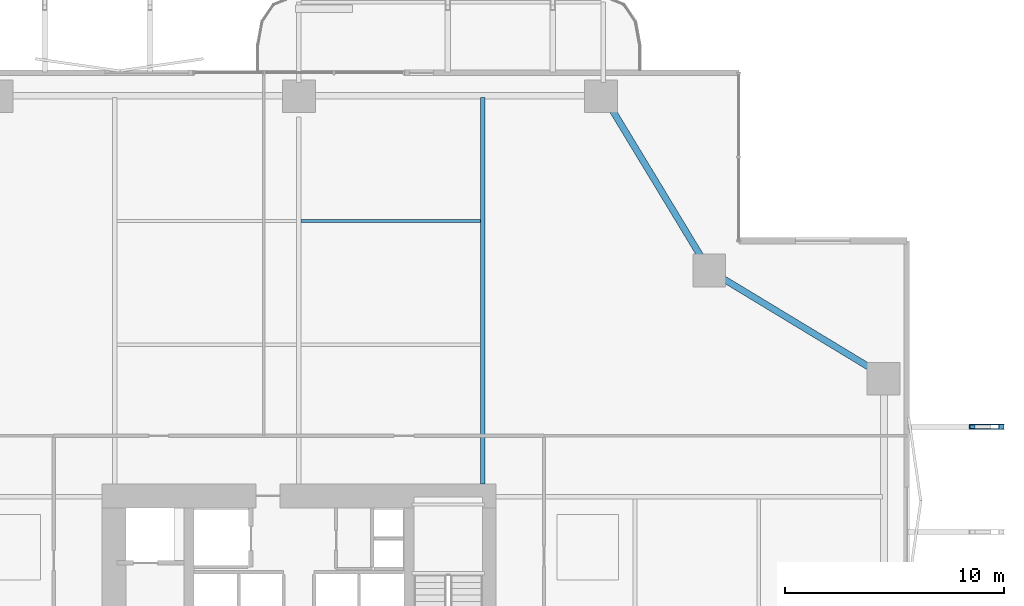
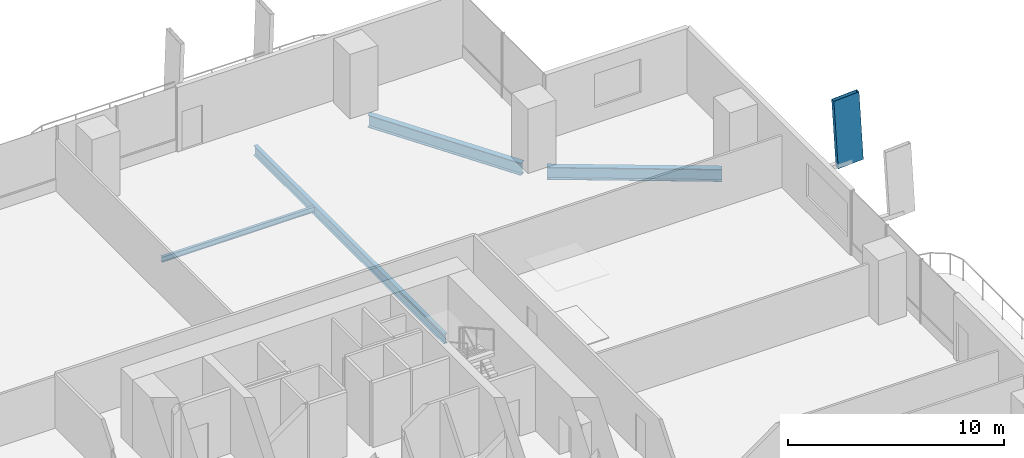
# One storey, part 20 of 30: 4 beams, 1 member.
"""IFC4 building model written with IfcOpenShell, lengths in metres."""

from ifc_helpers import new_model, si_unit, direction, frame, origin, origin_2d, place, context, subcontext, project, spatial, hollow_rectangle, i_section, extrude, material, material_profile, profile_set, type_object, element, save


model = new_model("IFC4")

# Units and contexts
model_context = context("Model", 3, precision=1e-05, world=origin(), true_north=direction((0.0, 1.0)))
body_context = subcontext(model_context, "Body", "Model", "MODEL_VIEW")
ifc_project = project(units=[si_unit("LENGTHUNIT", "METRE"), si_unit("AREAUNIT", "SQUARE_METRE"), si_unit("VOLUMEUNIT", "CUBIC_METRE"), si_unit("PLANEANGLEUNIT", "RADIAN"), si_unit("MASSUNIT", "GRAM", prefix="KILO")], contexts=[model_context])

# Site, building, storey
site_placement = place(None, origin())
site = spatial("IfcSite", under=ifc_project, at=site_placement, CompositionType="ELEMENT")
building_placement = place(site_placement, origin())
building = spatial("IfcBuilding", under=site, at=building_placement, Name="Belovzor Exchange Tower", CompositionType="ELEMENT")
storey_placement = place(building_placement, frame((0.0, 0.0, 30.0)))
storey = spatial("IfcBuildingStorey", under=building, at=storey_placement, Name="L06", CompositionType="ELEMENT", Elevation=30.0)

# Member
ifc_material_1 = material(Name="Extruded Architectural Terracotta on Steel S355 Carrier", Category="masonry")
ifc_material_profile_1 = material_profile(ifc_material_1, hollow_rectangle(XDim=0.219970703125, YDim=1.35009765625, WallThickness=0.013916015625, at=origin_2d()))
ifc_profile_set_1 = profile_set([ifc_material_profile_1], Name="Extruded Architectural Terracotta on Steel S355 Carrier")
member_type = type_object("IfcMemberType", Name="Base Arc Sweeping Terracotta Pylon Fin 1450", PredefinedType="USERDEFINED", material=ifc_profile_set_1)
member_placement = place(storey_placement, frame((60.3369140625, 40.39990234375, -0.25), z_axis=(-0.059615826389, 0.0, 0.998221394904), x_axis=(0.0, -1.0, 0.0)))
element("IfcMember", 1, at=member_placement, inside=storey, type_object=member_type, Name="FIN-TC145 Terracotta Facade Fin L06 E4", ObjectType="FIN", PredefinedType="USERDEFINED", context=body_context, shape_type="SweptSolid", body=[
    extrude(hollow_rectangle(XDim=0.219970703125, YDim=1.35009765625, WallThickness=0.013916015625, at=origin_2d()), origin(), (0.0, 0.0, 1.0), 3.90673828125),
])

# Beams
ifc_material_2 = material(Name="Steel S355", Category="steel")
ifc_material_profile_2 = material_profile(ifc_material_2, i_section(OverallWidth=0.14990234375, OverallDepth=0.300048828125, WebThickness=0.007080078125, FlangeThickness=0.0107421875, at=origin_2d()))
ifc_profile_set_2 = profile_set([ifc_material_profile_2], Name="Steel S355")
beam_type_1 = type_object("IfcBeamType", Name="Secondary Trim Floor Joist IPE 300", PredefinedType="BEAM", material=ifc_profile_set_2)
beam_1_placement = place(storey_placement, frame((28.905029296875, 49.804931640625, -0.39990234375), z_axis=(1.0, 0.0, 0.0), x_axis=(0.0, 1.0, 0.0)))
element("IfcBeam", 2, at=beam_1_placement, inside=storey, type_object=beam_type_1, Name="FJ-300 Secondary Trim Floor Joist IPE 300", PredefinedType="BEAM", context=body_context, shape_type="SweptSolid", body=[
    extrude(i_section(OverallWidth=0.14990234375, OverallDepth=0.300048828125, WebThickness=0.007080078125, FlangeThickness=0.0107421875, at=origin_2d()), origin(), (0.0, 0.0, 1.0), 8.18994140625),
])
ifc_material_3 = material(Name="Steel S355", Category="steel")
ifc_material_profile_3 = material_profile(ifc_material_3, i_section(OverallWidth=0.300048828125, OverallDepth=0.699951171875, WebThickness=0.01708984375, FlangeThickness=0.031982421875, at=origin_2d()))
ifc_profile_set_3 = profile_set([ifc_material_profile_3], Name="Steel S355")
beam_type_2 = type_object("IfcBeamType", Name="Zone 1 Primary Perimeter Girder HEB 700", PredefinedType="BEAM", material=ifc_profile_set_3)
for number, where, z_axis, x_axis, name in (
    (3, (55.011962890625, 43.032958984375, -0.60009765625), (-0.855432053009, 0.517915053541, 0.0), (-0.517915053541, -0.855432053009, 0.0), "FG-Z1 Zone 1 Primary Perimeter Girder HEB 700"),
    (4, (47.237060546875, 48.068115234375, -0.60009765625), (-0.517915053541, 0.855432053009, 0.0), (-0.855432053009, -0.517915053541, 0.0), "FG-Z1 Zone 1 Primary Perimeter Girder HEB 700"),
):
    element("IfcBeam", number, at=place(storey_placement, frame(where, z_axis=z_axis, x_axis=x_axis)), inside=storey, type_object=beam_type_2, Name=name, PredefinedType="BEAM", context=body_context, shape_type="SweptSolid", body=[
        extrude(i_section(OverallWidth=0.300048828125, OverallDepth=0.699951171875, WebThickness=0.01708984375, FlangeThickness=0.031982421875, at=origin_2d()), origin(), (0.0, 0.0, 1.0), 8.117431640625),
    ])
ifc_material_4 = material(Name="Steel S355", Category="steel")
ifc_material_profile_4 = material_profile(ifc_material_4, i_section(OverallWidth=0.2099609375, OverallDepth=0.550048828125, WebThickness=0.010986328125, FlangeThickness=0.01708984375, at=origin_2d()))
ifc_profile_set_4 = profile_set([ifc_material_profile_4], Name="Steel S355")
beam_type_3 = type_object("IfcBeamType", Name="Zone 1 Radial Composite Floor Beam IPE 550", PredefinedType="BEAM", material=ifc_profile_set_4)
beam_2_placement = place(storey_placement, frame((37.199951171875, 37.800048828125, -0.52490234375), z_axis=(0.0, 1.0, 0.0), x_axis=(-1.0, 0.0, 0.0)))
element("IfcBeam", 5, at=beam_2_placement, inside=storey, type_object=beam_type_3, Name="FB-550 Zone 1 Radial Composite Floor Beam IPE 550", PredefinedType="BEAM", context=body_context, shape_type="SweptSolid", body=[
    extrude(i_section(OverallWidth=0.2099609375, OverallDepth=0.550048828125, WebThickness=0.010986328125, FlangeThickness=0.01708984375, at=origin_2d()), origin(), (0.0, 0.0, 1.0), 17.655029296875),
])

save(model, "model.ifc")
